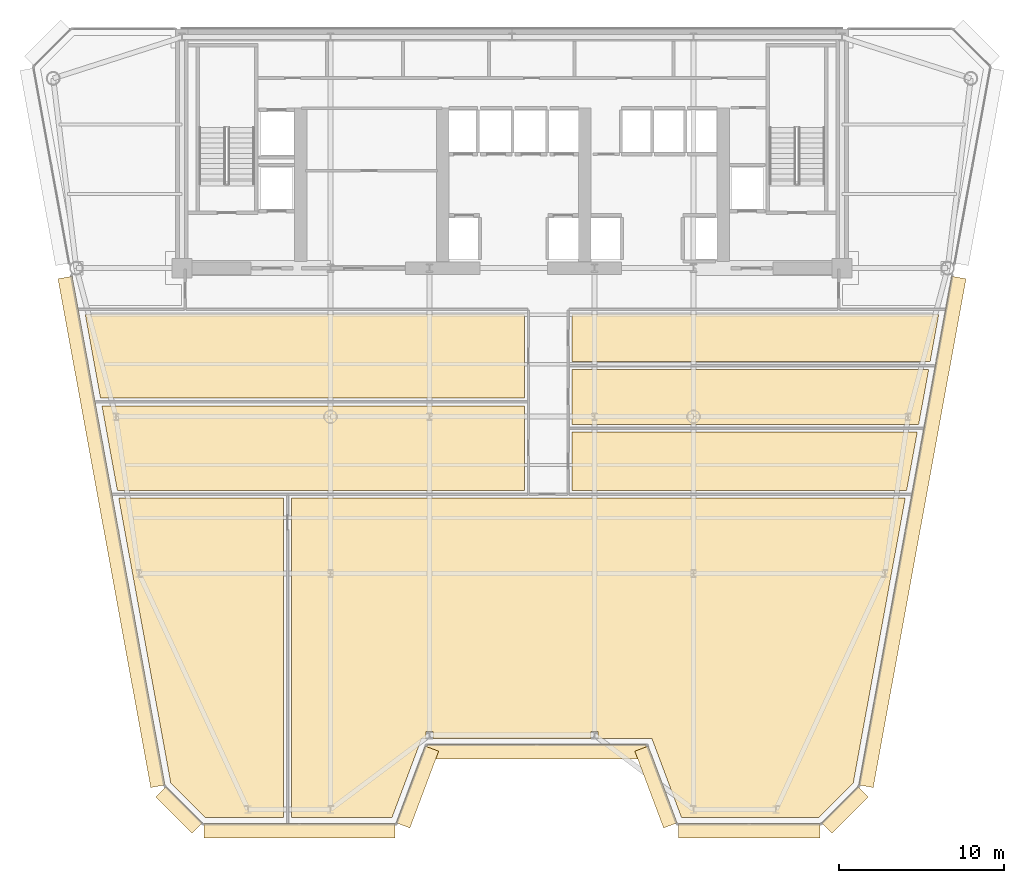
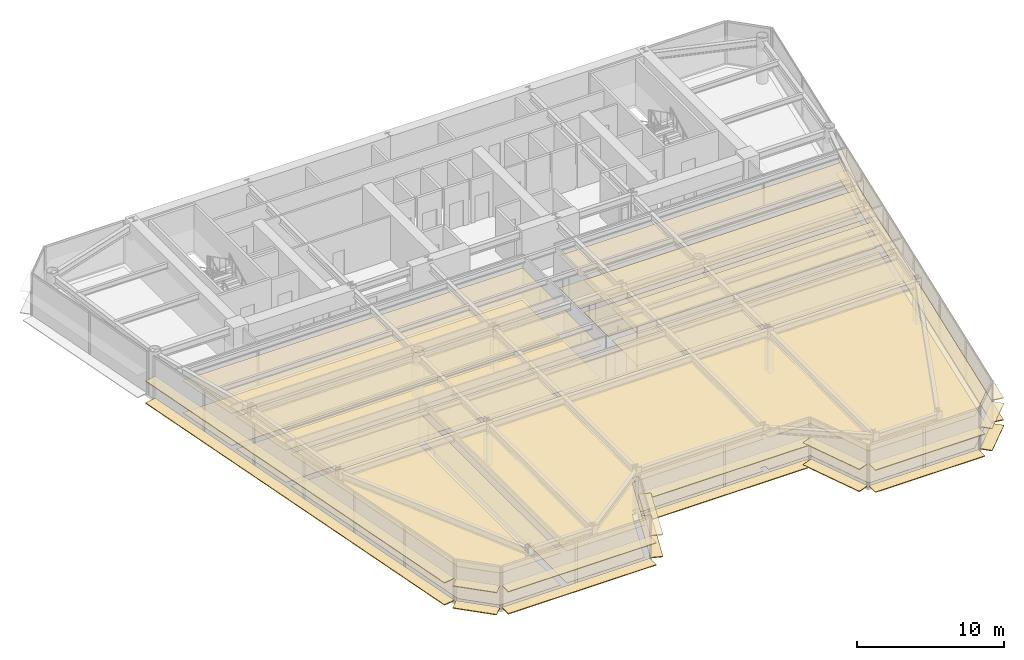
# One storey, part 14 of 17: 32 coverings.
"""IFC4 building model written with IfcOpenShell, lengths in metres."""

import ifcopenshell
import ifcopenshell.guid

model = None  # the IFC model being written
_history = None  # IfcOwnerHistory: only IFC2X3 demands one
_inside = {}  # id of a spatial element -> (the spatial element, [elements in it])
_under = {}  # id of a project, library or spatial element -> (it, [spatial elements below it])
_declared = {}  # id of a project -> (the project, [libraries it declares])
_typed = {}  # id of a type object -> (the type object, [elements of that type])
_made_of = {}  # id of a material, layer set ... -> (it, [elements and type objects made of it])


def new_model(schema):
    """Start an empty IFC model of exactly this schema.

    Asked for "IFC4X3", IfcOpenShell would pick the latest addendum, in which some entities
    have other attributes; the version numbers below select the first issue.
    IFC2X3 requires an IfcOwnerHistory on every rooted entity: one is made here for all.
    """
    global model, _history
    if schema == "IFC4X3":
        model = ifcopenshell.file(schema_version=(4, 3, 0, 0))
    else:
        model = ifcopenshell.file(schema=schema)
    _inside.clear()
    _under.clear()
    _declared.clear()
    _typed.clear()
    _made_of.clear()
    _history = None
    if model.schema == "IFC2X3":
        org = make("IfcOrganization", Name="unknown")
        user = make(
            "IfcPersonAndOrganization",
            ThePerson=make("IfcPerson", FamilyName="unknown"),
            TheOrganization=org,
        )
        app = make(
            "IfcApplication",
            ApplicationDeveloper=org,
            Version="unknown",
            ApplicationFullName="unknown",
            ApplicationIdentifier="unknown",
        )
        _history = make(
            "IfcOwnerHistory",
            OwningUser=user,
            OwningApplication=app,
            ChangeAction="ADDED",
            CreationDate=0,
        )
    return model


def make(cls, **values):
    """One entity of the class cls with the attributes given. An attribute that is None is left unset."""
    return model.create_entity(
        cls, **{name: value for name, value in values.items() if value is not None}
    )


def rooted(cls, **values):
    """An entity with a GlobalId (a new one), such as an element, a storey or a relation."""
    return make(cls, GlobalId=ifcopenshell.guid.new(), OwnerHistory=_history, **values)


def si_unit(unit_type, name, prefix=None):
    """IfcSIUnit, for example si_unit("LENGTHUNIT", "METRE", prefix="MILLI")."""
    return make("IfcSIUnit", UnitType=unit_type, Prefix=prefix, Name=name)


def assignment(units):
    """IfcUnitAssignment: the units of a project."""
    return None if units is None else make("IfcUnitAssignment", Units=units)


def point(xyz):
    """IfcCartesianPoint."""
    return None if xyz is None else make("IfcCartesianPoint", Coordinates=xyz)


def direction(xyz):
    """IfcDirection."""
    return None if xyz is None else make("IfcDirection", DirectionRatios=xyz)


def frame(location, z_axis=None, x_axis=None):
    """IfcAxis2Placement3D, a coordinate frame: its origin and axes. An axis left out is left unset."""
    return make(
        "IfcAxis2Placement3D",
        Location=point(location),
        Axis=direction(z_axis),
        RefDirection=direction(x_axis),
    )


def frame_2d(location, x_axis=None):
    """IfcAxis2Placement2D, a coordinate frame in the plane: its origin and x axis."""
    return make(
        "IfcAxis2Placement2D", Location=point(location), RefDirection=direction(x_axis)
    )


def origin():
    """The frame at (0, 0, 0) with its axes left unset."""
    return frame((0.0, 0.0, 0.0))


def origin_2d():
    """The frame at (0, 0) in the plane with its x axis left unset."""
    return frame_2d((0.0, 0.0))


def place(relative_to, where):
    """IfcLocalPlacement: puts the frame where relative to a parent placement (None: the world)."""
    return make(
        "IfcLocalPlacement", PlacementRelTo=relative_to, RelativePlacement=where
    )


def context(
    kind, dimensions, precision=None, world=None, true_north=None, identifier=None
):
    """IfcGeometricRepresentationContext, for example the 3D "Model" context."""
    return make(
        "IfcGeometricRepresentationContext",
        ContextIdentifier=identifier,
        ContextType=kind,
        CoordinateSpaceDimension=dimensions,
        Precision=precision,
        WorldCoordinateSystem=world,
        TrueNorth=true_north,
    )


def subcontext(parent, identifier, kind, view, scale=None):
    """IfcGeometricRepresentationSubContext, for example "Body" below "Model"."""
    return make(
        "IfcGeometricRepresentationSubContext",
        ContextIdentifier=identifier,
        ContextType=kind,
        ParentContext=parent,
        TargetScale=scale,
        TargetView=view,
    )


def project(units=None, contexts=None):
    """IfcProject with its units and contexts."""
    return rooted(
        "IfcProject",
        Name="project",
        RepresentationContexts=contexts,
        UnitsInContext=assignment(units),
    )


def spatial(cls, under=None, at=None, **own):
    """A site, building, storey or space (cls), placed at a placement, below another one or the project."""
    s = rooted(cls, ObjectPlacement=at, **own)
    if under is not None:
        _under.setdefault(under.id(), (under, []))[1].append(s)
    return s


def polyline(points):
    """IfcPolyline through the points."""
    return make("IfcPolyline", Points=[point(p) for p in points])


def profile(cls, at=None, kind="AREA", **sizes):
    """A parametric profile (cls). Its sizes go by their IFC names, for example OverallWidth=200.0."""
    return make(cls, ProfileType=kind, Position=at, **sizes)


def rectangle(**sizes):
    """IfcRectangleProfileDef."""
    return profile("IfcRectangleProfileDef", **sizes)


def outline(outer, holes=None, kind="AREA"):
    """IfcArbitraryClosedProfileDef: a profile drawn as a closed curve; with holes, ...WithVoids."""
    if holes is None:
        return make("IfcArbitraryClosedProfileDef", ProfileType=kind, OuterCurve=outer)
    return make(
        "IfcArbitraryProfileDefWithVoids",
        ProfileType=kind,
        OuterCurve=outer,
        InnerCurves=holes,
    )


def extrude(swept, where, along, depth):
    """IfcExtrudedAreaSolid: the profile swept, set in the frame where, extruded along a direction by depth."""
    return make(
        "IfcExtrudedAreaSolid",
        SweptArea=swept,
        Position=where,
        ExtrudedDirection=direction(along),
        Depth=depth,
    )


def shape(context_of_items, identifier, shape_type, items):
    """IfcShapeRepresentation: the items that make up one representation, for example the "Body"."""
    return make(
        "IfcShapeRepresentation",
        ContextOfItems=context_of_items,
        RepresentationIdentifier=identifier,
        RepresentationType=shape_type,
        Items=items,
    )


def source(mapping_origin, context_of_items, identifier, shape_type, items):
    """IfcRepresentationMap: a shape defined once, which mapped items show again and again."""
    return make(
        "IfcRepresentationMap",
        MappingOrigin=mapping_origin,
        MappedRepresentation=shape(context_of_items, identifier, shape_type, items),
    )


def transform(
    local_origin,
    x_axis=None,
    y_axis=None,
    z_axis=None,
    scale=None,
    scale2=None,
    scale3=None,
    uniform=True,
):
    """IfcCartesianTransformationOperator3D, or its non-uniform kind. x_axis, y_axis, z_axis: its Axis1, 2, 3."""
    if uniform:
        return make(
            "IfcCartesianTransformationOperator3D",
            Axis1=direction(x_axis),
            Axis2=direction(y_axis),
            LocalOrigin=point(local_origin),
            Scale=scale,
            Axis3=direction(z_axis),
        )
    return make(
        "IfcCartesianTransformationOperator3DnonUniform",
        Axis1=direction(x_axis),
        Axis2=direction(y_axis),
        LocalOrigin=point(local_origin),
        Scale=scale,
        Axis3=direction(z_axis),
        Scale2=scale2,
        Scale3=scale3,
    )


def mapped(mapping_source, mapping_target):
    """IfcMappedItem: shows the shape of a source again, moved by a transform."""
    return make(
        "IfcMappedItem", MappingSource=mapping_source, MappingTarget=mapping_target
    )


def material(Name=None, Category=None):
    """IfcMaterial."""
    return make("IfcMaterial", Name=Name, Category=Category)


def layer(
    of_material, thickness, ventilated=None, Name=None, Category=None, Priority=None
):
    """IfcMaterialLayer: one layer of a wall or slab, of a material (None: an air gap)."""
    return make(
        "IfcMaterialLayer",
        Material=of_material,
        LayerThickness=thickness,
        IsVentilated=ventilated,
        Name=Name,
        Category=Category,
        Priority=Priority,
    )


def layer_set(layers, Name=None):
    """IfcMaterialLayerSet."""
    return make("IfcMaterialLayerSet", MaterialLayers=layers, LayerSetName=Name)


def made_of(thing, what):
    """Note that an element or type object is made of a material, layer set ...; save() writes the relation."""
    if what is not None:
        _made_of.setdefault(what.id(), (what, []))[1].append(thing)
    return thing


def type_object(cls, material=None, **own):
    """A type object (cls), such as IfcWallType, which elements share."""
    return made_of(rooted(cls, **own), material)


def element(
    cls,
    number,
    at=None,
    inside=None,
    cuts=None,
    type_object=None,
    material=None,
    context=None,
    identifier="Body",
    shape_type=None,
    held_by="IfcProductDefinitionShape",
    body=None,
    shapes=None,
    **own,
):
    """One element of the class cls, such as IfcWall. Its Tag is "e" and its number.

    at: its placement. inside: the storey or other place that contains it. cuts: it is an
    opening in that element (IfcRelVoidsElement). A single representation is given by context,
    identifier, shape_type and body (its items); several are given by shapes. held_by: the class
    of the entity that holds the representations. save() writes the other relations.
    """
    e = rooted(cls, Tag="e%d" % number, ObjectPlacement=at, **own)
    if body is not None:
        shapes = [shape(context, identifier, shape_type, body)]
    if shapes is not None:
        e.Representation = make(held_by, Representations=shapes)
    if inside is not None:
        _inside.setdefault(inside.id(), (inside, []))[1].append(e)
    if cuts is not None:
        rooted(
            "IfcRelVoidsElement", RelatingBuildingElement=cuts, RelatedOpeningElement=e
        )
    if type_object is not None:
        _typed.setdefault(type_object.id(), (type_object, []))[1].append(e)
    return made_of(e, material)


def aggregate(whole, parts):
    """IfcRelAggregates: a whole, such as a stair, and the parts it consists of."""
    return rooted("IfcRelAggregates", RelatingObject=whole, RelatedObjects=parts)


def save(model, path):
    """Write the relations noted so far, then the file.

    IfcRelAggregates (storeys below a building ...), IfcRelContainedInSpatialStructure (elements
    in a storey), IfcRelDefinesByType, IfcRelAssociatesMaterial and IfcRelDeclares: one each for
    every whole, place, type object, material and project.
    """
    for whole, parts in _under.values():
        aggregate(whole, parts)
    for where, things in _inside.values():
        rooted(
            "IfcRelContainedInSpatialStructure",
            RelatedElements=things,
            RelatingStructure=where,
        )
    for kind, things in _typed.values():
        rooted("IfcRelDefinesByType", RelatedObjects=things, RelatingType=kind)
    for what, things in _made_of.values():
        rooted("IfcRelAssociatesMaterial", RelatedObjects=things, RelatingMaterial=what)
    for by, libraries in _declared.values():
        rooted("IfcRelDeclares", RelatingContext=by, RelatedDefinitions=libraries)
    model.write(path)


model = new_model("IFC4")

# Units and contexts
model_context = context("Model", 3, precision=1e-05, world=origin(), true_north=direction((0.0, 1.0)))
body_context = subcontext(model_context, "Body", "Model", "MODEL_VIEW")
ifc_project = project(units=[si_unit("LENGTHUNIT", "METRE"), si_unit("AREAUNIT", "SQUARE_METRE"), si_unit("VOLUMEUNIT", "CUBIC_METRE"), si_unit("PLANEANGLEUNIT", "RADIAN"), si_unit("MASSUNIT", "GRAM", prefix="KILO")], contexts=[model_context])

# Site, building, storey
site_placement = place(None, origin())
site = spatial("IfcSite", under=ifc_project, at=site_placement, CompositionType="ELEMENT")
building_placement = place(site_placement, origin())
building = spatial("IfcBuilding", under=site, at=building_placement, Name="Vaeldorn Concourse Tower", CompositionType="ELEMENT")
storey_placement = place(building_placement, frame((0.0, 0.0, 157.60009765625)))
storey = spatial("IfcBuildingStorey", under=building, at=storey_placement, Name="L40", CompositionType="ELEMENT", Elevation=157.60009765625)

# Coverings
ifc_material_1 = material(Name="Acoustic Mineral Fibre Board", Category="gypsum")
ifc_layer_1 = layer(ifc_material_1, 0.0400390625)
ifc_layer_set_1 = layer_set([ifc_layer_1], Name="Acoustic Mineral Fibre Board")
covering_type_1 = type_object("IfcCoveringType", Name="COV-CEIL-ACOUSTIC", PredefinedType="CEILING", material=ifc_layer_set_1)
covering_1_placement = place(storey_placement, frame((0.0, 0.0, 2.64990234375)))
element("IfcCovering", 1, at=covering_1_placement, inside=storey, type_object=covering_type_1, Name="Suspended Acoustic Ceiling L40-6", PredefinedType="CEILING", context=body_context, shape_type="SweptSolid", body=[
    extrude(outline(polyline([(34.760009765625, 28.159912109375), (34.760009765625, 23.0400390625), (10.087158203125, 23.0400390625), (9.1533203125, 28.159912109375), (34.760009765625, 28.159912109375)])), origin(), (0.0, 0.0, 1.0), 0.0400390625),
])
covering_2_placement = place(storey_placement, frame((0.0, 0.0, 2.64990234375)))
element("IfcCovering", 2, at=covering_2_placement, inside=storey, type_object=covering_type_1, Name="Suspended Acoustic Ceiling L40-7", PredefinedType="CEILING", context=body_context, shape_type="SweptSolid", body=[
    extrude(outline(polyline([(34.760009765625, 33.699951171875), (34.760009765625, 28.639892578125), (9.065673828125, 28.639892578125), (8.142578125, 33.699951171875), (34.760009765625, 33.699951171875)])), origin(), (0.0, 0.0, 1.0), 0.0400390625),
])
covering_3_placement = place(storey_placement, frame((0.0, 0.0, 2.64990234375)))
element("IfcCovering", 3, at=covering_3_placement, inside=storey, type_object=covering_type_1, Name="Suspended Acoustic Ceiling L40-8", PredefinedType="CEILING", context=body_context, shape_type="SweptSolid", body=[
    extrude(outline(polyline([(37.639892578125, 23.0400390625), (37.639892578125, 26.56005859375), (58.554931640625, 26.56005859375), (57.912841796875, 23.0400390625), (37.639892578125, 23.0400390625)])), origin(), (0.0, 0.0, 1.0), 0.0400390625),
])
covering_4_placement = place(storey_placement, frame((0.0, 0.0, 2.64990234375)))
element("IfcCovering", 4, at=covering_4_placement, inside=storey, type_object=covering_type_1, Name="Suspended Acoustic Ceiling L40-9", PredefinedType="CEILING", context=body_context, shape_type="SweptSolid", body=[
    extrude(outline(polyline([(37.639892578125, 30.360107421875), (59.248046875, 30.360107421875), (58.642578125, 27.0400390625), (37.639892578125, 27.0400390625), (37.639892578125, 30.360107421875)])), origin(), (0.0, 0.0, 1.0), 0.0400390625),
])
covering_5_placement = place(storey_placement, frame((0.0, 0.0, 2.64990234375)))
element("IfcCovering", 5, at=covering_5_placement, inside=storey, type_object=covering_type_1, Name="Suspended Acoustic Ceiling L40-10", PredefinedType="CEILING", context=body_context, shape_type="SweptSolid", body=[
    extrude(outline(polyline([(37.639892578125, 30.840087890625), (37.639892578125, 33.699951171875), (59.857421875, 33.699951171875), (59.335693359375, 30.840087890625), (37.639892578125, 30.840087890625)])), origin(), (0.0, 0.0, 1.0), 0.0400390625),
])
covering_6_placement = place(storey_placement, frame((0.0, 0.0, 2.64990234375)))
element("IfcCovering", 6, at=covering_6_placement, inside=storey, type_object=covering_type_1, Name="Suspended Acoustic Ceiling L40-11", PredefinedType="CEILING", context=body_context, shape_type="SweptSolid", body=[
    extrude(outline(polyline([(20.159912109375, 22.56005859375), (20.159912109375, 3.199951171875), (15.418701171875, 3.199951171875), (13.32421875, 5.294677734375), (10.1748046875, 22.56005859375), (20.159912109375, 22.56005859375)])), origin(), (0.0, 0.0, 1.0), 0.0400390625),
])
covering_7_placement = place(storey_placement, frame((0.0, 0.0, 2.64990234375)))
element("IfcCovering", 7, at=covering_7_placement, inside=storey, type_object=covering_type_1, Name="Suspended Acoustic Ceiling L40-12", PredefinedType="CEILING", context=body_context, shape_type="SweptSolid", body=[
    extrude(outline(polyline([(26.722900390625, 3.199951171875), (20.639892578125, 3.199951171875), (20.639892578125, 22.56005859375), (57.8251953125, 22.56005859375), (54.67578125, 5.294677734375), (52.581298828125, 3.199951171875), (44.277099609375, 3.199951171875), (42.477294921875, 8.0), (39.2119140625, 8.0), (39.2119140625, 8.43701171875), (38.7880859375, 8.43701171875), (38.7880859375, 8.0), (29.2119140625, 8.0), (29.2119140625, 8.43701171875), (28.7880859375, 8.43701171875), (28.7880859375, 8.0), (28.522705078125, 8.0), (26.722900390625, 3.199951171875)])), origin(), (0.0, 0.0, 1.0), 0.0400390625),
])
ifc_material_2 = material(Name="Honed Limestone Terrazzo Flooring", Category="masonry")
ifc_layer_2 = layer(ifc_material_2, 0.0400390625)
ifc_layer_set_2 = layer_set([ifc_layer_2], Name="Honed Limestone Terrazzo Flooring")
covering_type_2 = type_object("IfcCoveringType", Name="COV-FLOOR-STONE", PredefinedType="FLOORING", material=ifc_layer_set_2)
covering_8_placement = place(storey_placement, origin())
element("IfcCovering", 8, at=covering_8_placement, inside=storey, type_object=covering_type_2, Name="Floor Finish Covering L40-6", PredefinedType="FLOORING", context=body_context, shape_type="SweptSolid", body=[
    extrude(outline(polyline([(34.760009765625, 28.159912109375), (34.760009765625, 23.0400390625), (10.087158203125, 23.0400390625), (9.1533203125, 28.159912109375), (34.760009765625, 28.159912109375)])), origin(), (0.0, 0.0, 1.0), 0.02978515625),
])
covering_9_placement = place(storey_placement, origin())
element("IfcCovering", 9, at=covering_9_placement, inside=storey, type_object=covering_type_2, Name="Floor Finish Covering L40-7", PredefinedType="FLOORING", context=body_context, shape_type="SweptSolid", body=[
    extrude(outline(polyline([(34.760009765625, 33.699951171875), (34.760009765625, 28.639892578125), (9.065673828125, 28.639892578125), (8.142578125, 33.699951171875), (34.760009765625, 33.699951171875)])), origin(), (0.0, 0.0, 1.0), 0.02978515625),
])
covering_10_placement = place(storey_placement, origin())
element("IfcCovering", 10, at=covering_10_placement, inside=storey, type_object=covering_type_2, Name="Floor Finish Covering L40-8", PredefinedType="FLOORING", context=body_context, shape_type="SweptSolid", body=[
    extrude(outline(polyline([(37.639892578125, 23.0400390625), (37.639892578125, 26.56005859375), (58.554931640625, 26.56005859375), (57.912841796875, 23.0400390625), (37.639892578125, 23.0400390625)])), origin(), (0.0, 0.0, 1.0), 0.02978515625),
])
covering_11_placement = place(storey_placement, origin())
element("IfcCovering", 11, at=covering_11_placement, inside=storey, type_object=covering_type_2, Name="Floor Finish Covering L40-9", PredefinedType="FLOORING", context=body_context, shape_type="SweptSolid", body=[
    extrude(outline(polyline([(37.639892578125, 30.360107421875), (59.248046875, 30.360107421875), (58.642578125, 27.0400390625), (37.639892578125, 27.0400390625), (37.639892578125, 30.360107421875)])), origin(), (0.0, 0.0, 1.0), 0.02978515625),
])
covering_12_placement = place(storey_placement, origin())
element("IfcCovering", 12, at=covering_12_placement, inside=storey, type_object=covering_type_2, Name="Floor Finish Covering L40-10", PredefinedType="FLOORING", context=body_context, shape_type="SweptSolid", body=[
    extrude(outline(polyline([(37.639892578125, 30.840087890625), (37.639892578125, 33.699951171875), (59.857421875, 33.699951171875), (59.335693359375, 30.840087890625), (37.639892578125, 30.840087890625)])), origin(), (0.0, 0.0, 1.0), 0.02978515625),
])
covering_13_placement = place(storey_placement, origin())
element("IfcCovering", 13, at=covering_13_placement, inside=storey, type_object=covering_type_2, Name="Floor Finish Covering L40-11", PredefinedType="FLOORING", context=body_context, shape_type="SweptSolid", body=[
    extrude(outline(polyline([(20.159912109375, 22.56005859375), (20.159912109375, 3.199951171875), (15.418701171875, 3.199951171875), (13.32421875, 5.294677734375), (10.1748046875, 22.56005859375), (20.159912109375, 22.56005859375)])), origin(), (0.0, 0.0, 1.0), 0.02978515625),
])
covering_14_placement = place(storey_placement, origin())
element("IfcCovering", 14, at=covering_14_placement, inside=storey, type_object=covering_type_2, Name="Floor Finish Covering L40-12", PredefinedType="FLOORING", context=body_context, shape_type="SweptSolid", body=[
    extrude(outline(polyline([(26.722900390625, 3.199951171875), (20.639892578125, 3.199951171875), (20.639892578125, 22.56005859375), (57.8251953125, 22.56005859375), (54.67578125, 5.294677734375), (52.581298828125, 3.199951171875), (44.277099609375, 3.199951171875), (42.477294921875, 8.0), (39.2119140625, 8.0), (39.2119140625, 8.43701171875), (38.7880859375, 8.43701171875), (38.7880859375, 8.0), (29.2119140625, 8.0), (29.2119140625, 8.43701171875), (28.7880859375, 8.43701171875), (28.7880859375, 8.0), (28.522705078125, 8.0), (26.722900390625, 3.199951171875)])), origin(), (0.0, 0.0, 1.0), 0.02978515625),
])
ifc_material_3 = material(Name="Anodised Bronze Aluminium", Category="aluminium")
ifc_layer_3 = layer(ifc_material_3, 0.06494140625)
ifc_layer_set_3 = layer_set([ifc_layer_3], Name="Anodised Bronze Aluminium")
covering_type_3 = type_object("IfcCoveringType", Name="SD-BRONZE-SUNSHADE", PredefinedType="USERDEFINED", material=ifc_layer_set_3)
shared_shape_1 = source(origin(), body_context, "Body", "SweptSolid", [
    extrude(rectangle(XDim=4.96630859375, YDim=0.8798828125, at=origin_2d()), origin(), (0.0, 0.0, 1.0), 0.06494140625),
])
for number, where, z_axis, x_axis, name in (
    (15, (28.2744140625, 5.0595703125, 0.04736328125), (0.0, 0.0, 1.0), (0.351122702609, 0.936329454686, 0.0), "Horizontal Bronze Sunshade L40-E02.1.1"),
    (16, (28.2744140625, 5.0595703125, 1.867431640625), (0.0, 0.0, 1.0), (0.351122702609, 0.936329454686, 0.0), "Horizontal Bronze Sunshade L40-E02.1.2"),
    (17, (42.7255859375, 5.0595703125, 0.04736328125), (0.0, 0.0, 1.0), (0.351122702609, -0.936329454686, 0.0), "Horizontal Bronze Sunshade L40-E04.1.1"),
    (18, (42.7255859375, 5.0595703125, 1.867431640625), (0.0, 0.0, 1.0), (0.351122702609, -0.936329454686, 0.0), "Horizontal Bronze Sunshade L40-E04.1.2"),
):
    element("IfcCovering", number, at=place(storey_placement, frame(where, z_axis=z_axis, x_axis=x_axis)), inside=storey, type_object=covering_type_3, Name=name, ObjectType="SUNSHADE", PredefinedType="USERDEFINED", context=body_context, shape_type="MappedRepresentation", body=[
        mapped(shared_shape_1, transform((0.0, 0.0, 0.0), scale=1.0)),
    ])
shared_shape_2 = source(origin(), body_context, "Body", "SweptSolid", [
    extrude(rectangle(XDim=13.239990234375, YDim=0.8798828125, at=origin_2d()), origin(), (0.0, 0.0, 1.0), 0.06494140625),
])
for number, where, z_axis, x_axis, name in (
    (19, (35.5, 7.199951171875, 0.04736328125), (0.0, 0.0, 1.0), (1.0, 0.0, 0.0), "Horizontal Bronze Sunshade L40-E03.1.1"),
    (20, (35.5, 7.199951171875, 1.867431640625), (0.0, 0.0, 1.0), (1.0, 0.0, 0.0), "Horizontal Bronze Sunshade L40-E03.1.2"),
):
    element("IfcCovering", number, at=place(storey_placement, frame(where, z_axis=z_axis, x_axis=x_axis)), inside=storey, type_object=covering_type_3, Name=name, ObjectType="SUNSHADE", PredefinedType="USERDEFINED", context=body_context, shape_type="MappedRepresentation", body=[
        mapped(shared_shape_2, transform((0.0, 0.0, 0.0), scale=1.0)),
    ])
shared_shape_3 = source(origin(), body_context, "Body", "SweptSolid", [
    extrude(rectangle(XDim=3.0927734375, YDim=0.8798828125, at=origin_2d()), origin(), (0.0, 0.0, 1.0), 0.06494140625),
])
for number, where, z_axis, x_axis, name in (
    (21, (54.1796875, 3.667236328125, 0.04736328125), (0.0, 0.0, 1.0), (0.707106781187, 0.707106781187, 0.0), "Horizontal Bronze Sunshade L40-E06.1.1"),
    (22, (54.1796875, 3.667236328125, 1.867431640625), (0.0, 0.0, 1.0), (0.707106781187, 0.707106781187, 0.0), "Horizontal Bronze Sunshade L40-E06.1.2"),
    (23, (13.8203125, 3.667236328125, 0.04736328125), (0.0, 0.0, 1.0), (0.707106781187, -0.707106781187, 0.0), "Horizontal Bronze Sunshade L40-E12.1.1"),
    (24, (13.8203125, 3.667236328125, 1.867431640625), (0.0, 0.0, 1.0), (0.707106781187, -0.707106781187, 0.0), "Horizontal Bronze Sunshade L40-E12.1.2"),
):
    element("IfcCovering", number, at=place(storey_placement, frame(where, z_axis=z_axis, x_axis=x_axis)), inside=storey, type_object=covering_type_3, Name=name, ObjectType="SUNSHADE", PredefinedType="USERDEFINED", context=body_context, shape_type="MappedRepresentation", body=[
        mapped(shared_shape_3, transform((0.0, 0.0, 0.0), scale=1.0)),
    ])
shared_shape_4 = source(origin(), body_context, "Body", "SweptSolid", [
    extrude(rectangle(XDim=11.5869140625, YDim=0.8798828125, at=origin_2d()), origin(), (0.0, 0.0, 1.0), 0.06494140625),
])
for number, where, z_axis, x_axis, name in (
    (25, (21.12646484375, 2.39990234375, 0.04736328125), (0.0, 0.0, 1.0), (1.0, 0.0, 0.0), "Horizontal Bronze Sunshade L40-E01.1.1"),
    (26, (21.12646484375, 2.39990234375, 1.867431640625), (0.0, 0.0, 1.0), (1.0, 0.0, 0.0), "Horizontal Bronze Sunshade L40-E01.1.2"),
):
    element("IfcCovering", number, at=place(storey_placement, frame(where, z_axis=z_axis, x_axis=x_axis)), inside=storey, type_object=covering_type_3, Name=name, ObjectType="SUNSHADE", PredefinedType="USERDEFINED", context=body_context, shape_type="MappedRepresentation", body=[
        mapped(shared_shape_4, transform((0.0, 0.0, 0.0), scale=1.0)),
    ])
shared_shape_5 = source(origin(), body_context, "Body", "SweptSolid", [
    extrude(rectangle(XDim=8.5869140625, YDim=0.8798828125, at=origin_2d()), origin(), (0.0, 0.0, 1.0), 0.06494140625),
])
for number, where, z_axis, x_axis, name in (
    (27, (48.37353515625, 2.39990234375, 0.04736328125), (0.0, 0.0, 1.0), (1.0, 0.0, 0.0), "Horizontal Bronze Sunshade L40-E05.1.1"),
    (28, (48.37353515625, 2.39990234375, 1.867431640625), (0.0, 0.0, 1.0), (1.0, 0.0, 0.0), "Horizontal Bronze Sunshade L40-E05.1.2"),
):
    element("IfcCovering", number, at=place(storey_placement, frame(where, z_axis=z_axis, x_axis=x_axis)), inside=storey, type_object=covering_type_3, Name=name, ObjectType="SUNSHADE", PredefinedType="USERDEFINED", context=body_context, shape_type="MappedRepresentation", body=[
        mapped(shared_shape_5, transform((0.0, 0.0, 0.0), scale=1.0)),
    ])
shared_shape_6 = source(origin(), body_context, "Body", "SweptSolid", [
    extrude(rectangle(XDim=31.334716796875, YDim=0.8798828125, at=origin_2d()), origin(), (0.0, 0.0, 1.0), 0.06494140625),
])
for number, where, z_axis, x_axis, name in (
    (29, (58.266357421875, 20.52001953125, 0.04736328125), (0.0, 0.0, 1.0), (0.179437543025, 0.983769367359, 0.0), "Horizontal Bronze Sunshade L40-E07.1.1"),
    (30, (58.266357421875, 20.52001953125, 1.867431640625), (0.0, 0.0, 1.0), (0.179437543025, 0.983769367359, 0.0), "Horizontal Bronze Sunshade L40-E07.1.2"),
    (31, (9.733642578125, 20.52001953125, 0.04736328125), (0.0, 0.0, 1.0), (0.179437543025, -0.983769367359, 0.0), "Horizontal Bronze Sunshade L40-E11.2.1"),
    (32, (9.733642578125, 20.52001953125, 1.867431640625), (0.0, 0.0, 1.0), (0.179437543025, -0.983769367359, 0.0), "Horizontal Bronze Sunshade L40-E11.2.2"),
):
    element("IfcCovering", number, at=place(storey_placement, frame(where, z_axis=z_axis, x_axis=x_axis)), inside=storey, type_object=covering_type_3, Name=name, ObjectType="SUNSHADE", PredefinedType="USERDEFINED", context=body_context, shape_type="MappedRepresentation", body=[
        mapped(shared_shape_6, transform((0.0, 0.0, 0.0), scale=1.0)),
    ])

save(model, "model.ifc")
